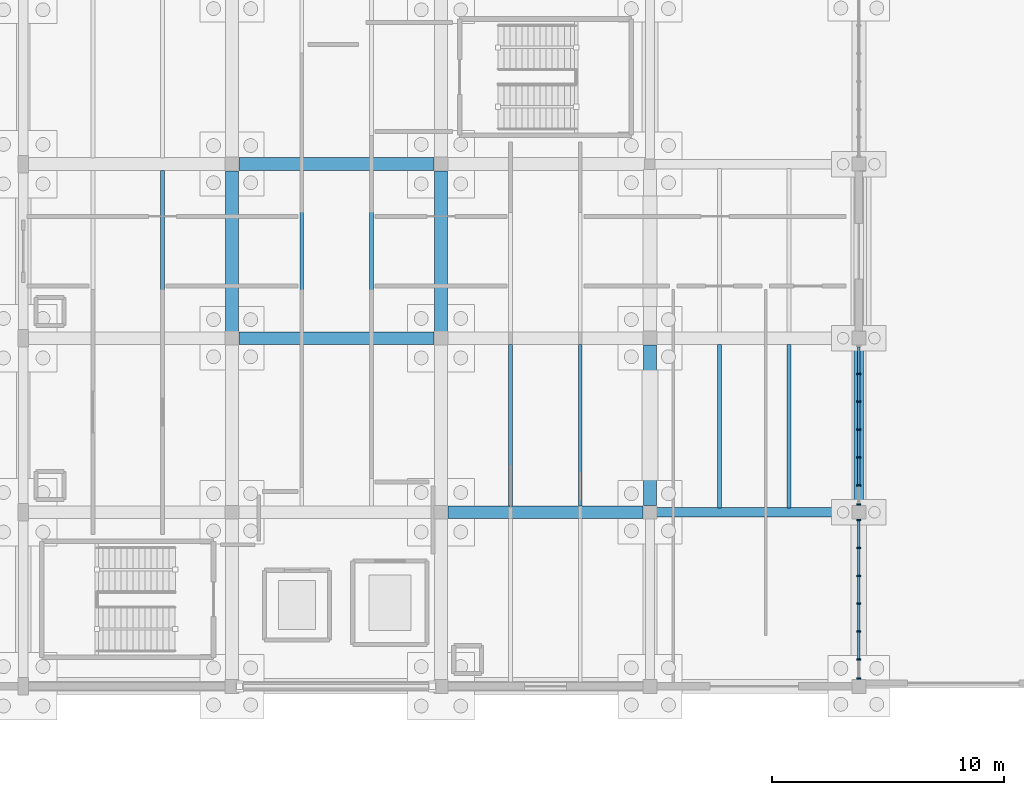
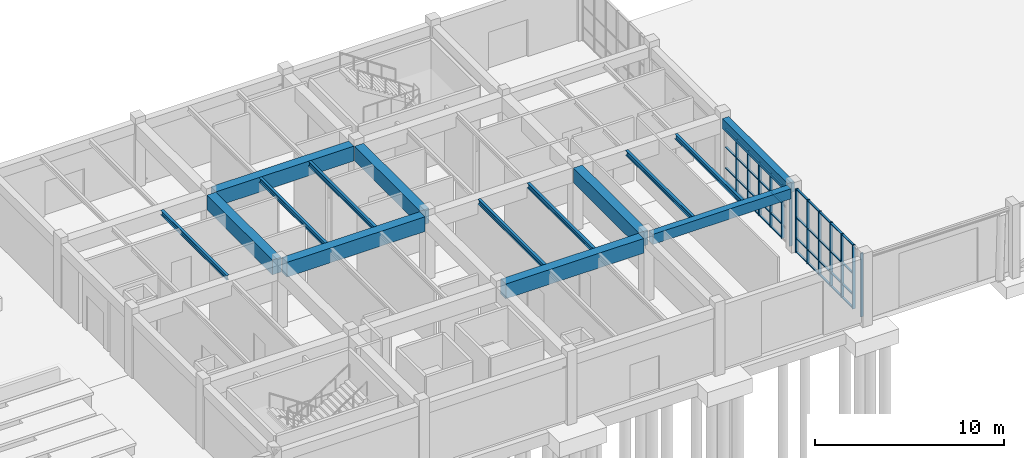
# One storey, part 23 of 93: 53 members, 15 beams, 2 elements without a shape of their own.
"""IFC4 building model written with IfcOpenShell, lengths in metres."""

from ifc_helpers import new_model, si_unit, direction, frame, origin, origin_2d, place, context, subcontext, project, spatial, rectangle, i_section, extrude, material, layer, layer_set, material_profile, profile_set, type_object, element, aggregate, save


model = new_model("IFC4")

# Units and contexts
model_context = context("Model", 3, precision=1e-05, world=origin(), true_north=direction((0.0, 1.0)))
body_context = subcontext(model_context, "Body", "Model", "MODEL_VIEW")
ifc_project = project(units=[si_unit("LENGTHUNIT", "METRE"), si_unit("AREAUNIT", "SQUARE_METRE"), si_unit("VOLUMEUNIT", "CUBIC_METRE"), si_unit("PLANEANGLEUNIT", "RADIAN"), si_unit("MASSUNIT", "GRAM", prefix="KILO")], contexts=[model_context])

# Site, building, storey
site_placement = place(None, origin())
site = spatial("IfcSite", under=ifc_project, at=site_placement, CompositionType="ELEMENT")
building_placement = place(site_placement, origin())
building = spatial("IfcBuilding", under=site, at=building_placement, Name="Marnridge Secondary College", CompositionType="ELEMENT")
storey_placement = place(building_placement, origin())
storey = spatial("IfcBuildingStorey", under=building, at=storey_placement, Name="L00", CompositionType="ELEMENT", Elevation=0.0)

# Beams
ifc_material_1 = material(Name="Concrete C40/50 (AS 3600 N40, 40 MPa)", Category="concrete")
ifc_material_profile_1 = material_profile(ifc_material_1, rectangle(XDim=0.39990234375, YDim=0.64990234375, at=origin_2d()), Name="RC 400x650")
ifc_profile_set_1 = profile_set([ifc_material_profile_1], Name="Concrete C40/50 (AS 3600 N40, 40 MPa)")
beam_type_1 = type_object("IfcBeamType", Name="BM-RC4065-EXT", PredefinedType="SPANDREL", material=ifc_profile_set_1)
beam_1_placement = place(storey_placement, frame((117.2939453125, 7.5, 3.77490234375), z_axis=(1.0, 0.0, 0.0), x_axis=(0.0, 1.0, 0.0)))
element("IfcBeam", 1, at=beam_1_placement, inside=storey, type_object=beam_type_1, Name="Beam BS-L00-0195", PredefinedType="SPANDREL", context=body_context, shape_type="SweptSolid", body=[
    extrude(rectangle(XDim=0.39990234375, YDim=0.64990234375, at=origin_2d()), origin(), (0.0, 0.0, 1.0), 8.412109375),
])
beam_2_placement = place(storey_placement, frame((126.0, 7.7939453125, 3.77490234375), z_axis=(0.0, 1.0, 0.0), x_axis=(-1.0, 0.0, 0.0)))
element("IfcBeam", 2, at=beam_2_placement, inside=storey, type_object=beam_type_1, Name="Beam BS-L00-0197", PredefinedType="SPANDREL", context=body_context, shape_type="SweptSolid", body=[
    extrude(rectangle(XDim=0.39990234375, YDim=0.64990234375, at=origin_2d()), origin(), (0.0, 0.0, 1.0), 6.912109375),
])
ifc_material_2 = material(Name="Concrete C40/50 (AS 3600 N40, 40 MPa)", Category="concrete")
ifc_material_profile_2 = material_profile(ifc_material_2, rectangle(XDim=0.550048828125, YDim=0.949951171875, at=origin_2d()), Name="RC 550x950")
ifc_profile_set_2 = profile_set([ifc_material_profile_2], Name="Concrete C40/50 (AS 3600 N40, 40 MPa)")
beam_type_2 = type_object("IfcBeamType", Name="BM-RC5595-INT", PredefinedType="BEAM", material=ifc_profile_set_2)
beam_3_placement = place(storey_placement, frame((99.0, 15.2939453125, 3.625), z_axis=(0.0, 1.0, 0.0), x_axis=(-1.0, 0.0, 0.0)))
element("IfcBeam", 3, at=beam_3_placement, inside=storey, type_object=beam_type_2, Name="Beam B-L00-0173", PredefinedType="BEAM", context=body_context, shape_type="SweptSolid", body=[
    extrude(rectangle(XDim=0.550048828125, YDim=0.949951171875, at=origin_2d()), origin(), (0.0, 0.0, 1.0), 6.912109375),
])
for number, where, z_axis, x_axis, name in (
    (4, (99.2939453125, 15.0, 3.625), (1.0, 0.0, 0.0), (0.0, 1.0, 0.0), "Beam B-L00-0180"),
    (5, (99.2939453125, 22.5, 3.625), (1.0, 0.0, 0.0), (0.0, 1.0, 0.0), "Beam B-L00-0182"),
):
    element("IfcBeam", number, at=place(storey_placement, frame(where, z_axis=z_axis, x_axis=x_axis)), inside=storey, type_object=beam_type_2, Name=name, PredefinedType="BEAM", context=body_context, shape_type="SweptSolid", body=[
        extrude(rectangle(XDim=0.550048828125, YDim=0.949951171875, at=origin_2d()), origin(), (0.0, 0.0, 1.0), 8.412109375),
    ])
beam_4_placement = place(storey_placement, frame((108.0, 15.2939453125, 3.625), z_axis=(0.0, 1.0, 0.0), x_axis=(-1.0, 0.0, 0.0)))
element("IfcBeam", 6, at=beam_4_placement, inside=storey, type_object=beam_type_2, Name="Beam B-L00-0183", PredefinedType="BEAM", context=body_context, shape_type="SweptSolid", body=[
    extrude(rectangle(XDim=0.550048828125, YDim=0.949951171875, at=origin_2d()), origin(), (0.0, 0.0, 1.0), 6.912109375),
])
beam_5_placement = place(storey_placement, frame((108.2939453125, 7.5, 3.625), z_axis=(1.0, 0.0, 0.0), x_axis=(0.0, 1.0, 0.0)))
element("IfcBeam", 7, at=beam_5_placement, inside=storey, type_object=beam_type_2, Name="Beam B-L00-0187", PredefinedType="BEAM", context=body_context, shape_type="SweptSolid", body=[
    extrude(rectangle(XDim=0.550048828125, YDim=0.949951171875, at=origin_2d()), origin(), (0.0, 0.0, 1.0), 8.412109375),
])
beam_6_placement = place(storey_placement, frame((117.0, 7.7939453125, 3.625), z_axis=(0.0, 1.0, 0.0), x_axis=(-1.0, 0.0, 0.0)))
element("IfcBeam", 8, at=beam_6_placement, inside=storey, type_object=beam_type_2, Name="Beam B-L00-0190", PredefinedType="BEAM", context=body_context, shape_type="SweptSolid", body=[
    extrude(rectangle(XDim=0.550048828125, YDim=0.949951171875, at=origin_2d()), origin(), (0.0, 0.0, 1.0), 6.912109375),
])
ifc_material_3 = material(Name="Structural steel Grade 350 (AS/NZS 3679.1/.2, fy = 340-360 MPa)", Category="steel")
ifc_material_profile_3 = material_profile(ifc_material_3, i_section(OverallWidth=0.1650390625, OverallDepth=0.303955078125, WebThickness=0.006103515625, FlangeThickness=0.01025390625, FilletRadius=0.011474609375, at=origin_2d()), Name="310UB40.4")
ifc_profile_set_3 = profile_set([ifc_material_profile_3], Name="Structural steel Grade 350 (AS/NZS 3679.1/.2, fy = 340-360 MPa)")
beam_type_3 = type_object("IfcBeamType", Name="BM-UB310-INT", PredefinedType="BEAM", material=ifc_profile_set_3)
for number, where, z_axis, x_axis, name in (
    (9, (96.0, 15.26904296875, 3.947998046875), (0.0, 1.0, 0.0), (-1.0, 0.0, 0.0), "Beam BJ-L00-0203"),
    (10, (102.0, 15.26904296875, 3.947998046875), (0.0, 1.0, 0.0), (-1.0, 0.0, 0.0), "Beam BJ-L00-0208"),
    (11, (105.0, 15.26904296875, 3.947998046875), (0.0, 1.0, 0.0), (-1.0, 0.0, 0.0), "Beam BJ-L00-0209"),
    (12, (111.0, 7.76904296875, 3.947998046875), (0.0, 1.0, 0.0), (-1.0, 0.0, 0.0), "Beam BJ-L00-0214"),
    (13, (114.0, 7.76904296875, 3.947998046875), (0.0, 1.0, 0.0), (-1.0, 0.0, 0.0), "Beam BJ-L00-0215"),
):
    element("IfcBeam", number, at=place(storey_placement, frame(where, z_axis=z_axis, x_axis=x_axis)), inside=storey, type_object=beam_type_3, Name=name, PredefinedType="BEAM", context=body_context, shape_type="SweptSolid", body=[
        extrude(i_section(OverallWidth=0.1650390625, OverallDepth=0.303955078125, WebThickness=0.006103515625, FlangeThickness=0.01025390625, FilletRadius=0.011474609375, at=origin_2d()), origin(), (0.0, 0.0, 1.0), 6.9619140625),
    ])
for number, where, z_axis, x_axis, name in (
    (14, (120.0, 7.694091796875, 3.947998046875), (0.0, 1.0, 0.0), (-1.0, 0.0, 0.0), "Beam BJ-L00-0218"),
    (15, (123.0, 7.694091796875, 3.947998046875), (0.0, 1.0, 0.0), (-1.0, 0.0, 0.0), "Beam BJ-L00-0219"),
):
    element("IfcBeam", number, at=place(storey_placement, frame(where, z_axis=z_axis, x_axis=x_axis)), inside=storey, type_object=beam_type_3, Name=name, PredefinedType="BEAM", context=body_context, shape_type="SweptSolid", body=[
        extrude(i_section(OverallWidth=0.1650390625, OverallDepth=0.303955078125, WebThickness=0.006103515625, FlangeThickness=0.01025390625, FilletRadius=0.011474609375, at=origin_2d()), origin(), (0.0, 0.0, 1.0), 7.036865234375),
    ])

# Curtain wall, members
ifc_material_4 = material(Name="Thermally broken aluminium and low-E glazing", Category="aluminium")
ifc_layer = layer(ifc_material_4, 0.179931640625)
ifc_layer_set = layer_set([ifc_layer], Name="CW-MOD-1200")
curtain_wall_type = type_object("IfcCurtainWallType", Name="CW-MOD-1200", PredefinedType="NOTDEFINED", material=ifc_layer_set)
curtain_wall_1_placement = place(storey_placement, origin())
curtain_wall_1 = element("IfcCurtainWall", 16, at=curtain_wall_1_placement, inside=storey, type_object=curtain_wall_type, Name="Unitised curtain wall CW-L00-010", PredefinedType="NOTDEFINED")
ifc_material_5 = material(Name="Anodised aluminium 6063-T6", Category="aluminium")
ifc_material_profile_4 = material_profile(ifc_material_5, rectangle(XDim=0.06494140625, YDim=0.179931640625, at=origin_2d()), Name="ALU 65x180")
ifc_profile_set_4 = profile_set([ifc_material_profile_4], Name="Anodised aluminium 6063-T6")
member_type_1 = type_object("IfcMemberType", Name="CWM-ALU180", PredefinedType="MULLION", material=ifc_profile_set_4)
member_1_placement = place(storey_placement, frame((126.0, 13.46337890625, 0.0), z_axis=(0.0, 0.0, 1.0), x_axis=(0.0, -1.0, 0.0)))
member_1 = element("IfcMember", 17, at=member_1_placement, type_object=member_type_1, Name="CW-L00-010 mullion 2", PredefinedType="MULLION", context=body_context, shape_type="SweptSolid", body=[
    extrude(rectangle(XDim=0.06494140625, YDim=0.179931640625, at=origin_2d()), origin(), (0.0, 0.0, 1.0), 3.44189453125),
])
member_2_placement = place(storey_placement, frame((126.0, 12.263427734375, 0.0), z_axis=(0.0, 0.0, 1.0), x_axis=(0.0, -1.0, 0.0)))
member_2 = element("IfcMember", 18, at=member_2_placement, type_object=member_type_1, Name="CW-L00-010 mullion 3", PredefinedType="MULLION", context=body_context, shape_type="SweptSolid", body=[
    extrude(rectangle(XDim=0.06494140625, YDim=0.179931640625, at=origin_2d()), origin(), (0.0, 0.0, 1.0), 3.44189453125),
])
member_3_placement = place(storey_placement, frame((126.0, 11.0634765625, 0.0), z_axis=(0.0, 0.0, 1.0), x_axis=(0.0, -1.0, 0.0)))
member_3 = element("IfcMember", 19, at=member_3_placement, type_object=member_type_1, Name="CW-L00-010 mullion 4", PredefinedType="MULLION", context=body_context, shape_type="SweptSolid", body=[
    extrude(rectangle(XDim=0.06494140625, YDim=0.179931640625, at=origin_2d()), origin(), (0.0, 0.0, 1.0), 3.44189453125),
])
member_4_placement = place(storey_placement, frame((126.0, 9.863525390625, 0.0), z_axis=(0.0, 0.0, 1.0), x_axis=(0.0, -1.0, 0.0)))
member_4 = element("IfcMember", 20, at=member_4_placement, type_object=member_type_1, Name="CW-L00-010 mullion 5", PredefinedType="MULLION", context=body_context, shape_type="SweptSolid", body=[
    extrude(rectangle(XDim=0.06494140625, YDim=0.179931640625, at=origin_2d()), origin(), (0.0, 0.0, 1.0), 3.44189453125),
])
member_5_placement = place(storey_placement, frame((126.0, 8.66357421875, 0.0), z_axis=(0.0, 0.0, 1.0), x_axis=(0.0, -1.0, 0.0)))
member_5 = element("IfcMember", 21, at=member_5_placement, type_object=member_type_1, Name="CW-L00-010 mullion 6", PredefinedType="MULLION", context=body_context, shape_type="SweptSolid", body=[
    extrude(rectangle(XDim=0.06494140625, YDim=0.179931640625, at=origin_2d()), origin(), (0.0, 0.0, 1.0), 3.44189453125),
])
member_6_placement = place(storey_placement, frame((126.0, 7.83642578125, 0.0), z_axis=(0.0, 0.0, 1.0), x_axis=(0.0, -1.0, 0.0)))
member_6 = element("IfcMember", 22, at=member_6_placement, type_object=member_type_1, Name="CW-L00-010 mullion 7", PredefinedType="MULLION", context=body_context, shape_type="SweptSolid", body=[
    extrude(rectangle(XDim=0.06494140625, YDim=0.179931640625, at=origin_2d()), origin(), (0.0, 0.0, 1.0), 3.44189453125),
])

curtain_wall_2_placement = place(storey_placement, origin())
curtain_wall_2 = element("IfcCurtainWall", 23, at=curtain_wall_2_placement, inside=storey, type_object=curtain_wall_type, Name="Unitised curtain wall CW-L00-011", PredefinedType="NOTDEFINED")
member_7_placement = place(storey_placement, frame((126.0, 7.16357421875, 0.0), z_axis=(0.0, 0.0, 1.0), x_axis=(0.0, -1.0, 0.0)))
member_7 = element("IfcMember", 24, at=member_7_placement, type_object=member_type_1, Name="CW-L00-011 mullion 1", PredefinedType="MULLION", context=body_context, shape_type="SweptSolid", body=[
    extrude(rectangle(XDim=0.06494140625, YDim=0.179931640625, at=origin_2d()), origin(), (0.0, 0.0, 1.0), 4.10009765625),
])
member_8_placement = place(storey_placement, frame((126.0, 5.96337890625, 0.0), z_axis=(0.0, 0.0, 1.0), x_axis=(0.0, -1.0, 0.0)))
member_8 = element("IfcMember", 25, at=member_8_placement, type_object=member_type_1, Name="CW-L00-011 mullion 2", PredefinedType="MULLION", context=body_context, shape_type="SweptSolid", body=[
    extrude(rectangle(XDim=0.06494140625, YDim=0.179931640625, at=origin_2d()), origin(), (0.0, 0.0, 1.0), 4.10009765625),
])
member_9_placement = place(storey_placement, frame((126.0, 4.763427734375, 0.0), z_axis=(0.0, 0.0, 1.0), x_axis=(0.0, -1.0, 0.0)))
member_9 = element("IfcMember", 26, at=member_9_placement, type_object=member_type_1, Name="CW-L00-011 mullion 3", PredefinedType="MULLION", context=body_context, shape_type="SweptSolid", body=[
    extrude(rectangle(XDim=0.06494140625, YDim=0.179931640625, at=origin_2d()), origin(), (0.0, 0.0, 1.0), 4.10009765625),
])
member_10_placement = place(storey_placement, frame((126.0, 3.5634765625, 0.0), z_axis=(0.0, 0.0, 1.0), x_axis=(0.0, -1.0, 0.0)))
member_10 = element("IfcMember", 27, at=member_10_placement, type_object=member_type_1, Name="CW-L00-011 mullion 4", PredefinedType="MULLION", context=body_context, shape_type="SweptSolid", body=[
    extrude(rectangle(XDim=0.06494140625, YDim=0.179931640625, at=origin_2d()), origin(), (0.0, 0.0, 1.0), 4.10009765625),
])
member_11_placement = place(storey_placement, frame((126.0, 2.363525390625, 0.0), z_axis=(0.0, 0.0, 1.0), x_axis=(0.0, -1.0, 0.0)))
member_11 = element("IfcMember", 28, at=member_11_placement, type_object=member_type_1, Name="CW-L00-011 mullion 5", PredefinedType="MULLION", context=body_context, shape_type="SweptSolid", body=[
    extrude(rectangle(XDim=0.06494140625, YDim=0.179931640625, at=origin_2d()), origin(), (0.0, 0.0, 1.0), 4.10009765625),
])
member_12_placement = place(storey_placement, frame((126.0, 1.16357421875, 0.0), z_axis=(0.0, 0.0, 1.0), x_axis=(0.0, -1.0, 0.0)))
member_12 = element("IfcMember", 29, at=member_12_placement, type_object=member_type_1, Name="CW-L00-011 mullion 6", PredefinedType="MULLION", context=body_context, shape_type="SweptSolid", body=[
    extrude(rectangle(XDim=0.06494140625, YDim=0.179931640625, at=origin_2d()), origin(), (0.0, 0.0, 1.0), 4.10009765625),
])
member_13_placement = place(storey_placement, frame((126.0, 0.33642578125, 0.0), z_axis=(0.0, 0.0, 1.0), x_axis=(0.0, -1.0, 0.0)))
member_13 = element("IfcMember", 30, at=member_13_placement, type_object=member_type_1, Name="CW-L00-011 mullion 7", PredefinedType="MULLION", context=body_context, shape_type="SweptSolid", body=[
    extrude(rectangle(XDim=0.06494140625, YDim=0.179931640625, at=origin_2d()), origin(), (0.0, 0.0, 1.0), 4.10009765625),
])

# Member
ifc_material_6 = material(Name="Anodised aluminium 6063-T6", Category="aluminium")
ifc_material_profile_5 = material_profile(ifc_material_6, rectangle(XDim=0.06005859375, YDim=0.1201171875, at=origin_2d()), Name="ALU 60x120")
ifc_profile_set_5 = profile_set([ifc_material_profile_5], Name="Anodised aluminium 6063-T6")
member_type_2 = type_object("IfcMemberType", Name="CWT-ALU120", PredefinedType="USERDEFINED", material=ifc_profile_set_5)
member_14_placement = place(storey_placement, frame((126.0, 14.631103515625, 0.030029296875), z_axis=(0.0, -1.0, 0.0), x_axis=(0.0, 0.0, 1.0)))
member_14 = element("IfcMember", 31, at=member_14_placement, type_object=member_type_2, Name="CW-L00-010 transom 1.1", ObjectType="TRANSOM", PredefinedType="USERDEFINED", context=body_context, shape_type="SweptSolid", body=[
    extrude(rectangle(XDim=0.06005859375, YDim=0.1201171875, at=origin_2d()), origin(), (0.0, 0.0, 1.0), 1.135009765625),
])

member_15_placement = place(storey_placement, frame((126.0, 14.631103515625, 0.89990234375), z_axis=(0.0, -1.0, 0.0), x_axis=(0.0, 0.0, 1.0)))
member_15 = element("IfcMember", 32, at=member_15_placement, type_object=member_type_2, Name="CW-L00-010 transom 1.2", ObjectType="TRANSOM", PredefinedType="USERDEFINED", context=body_context, shape_type="SweptSolid", body=[
    extrude(rectangle(XDim=0.06005859375, YDim=0.1201171875, at=origin_2d()), origin(), (0.0, 0.0, 1.0), 1.135009765625),
])

member_16_placement = place(storey_placement, frame((126.0, 14.631103515625, 2.25), z_axis=(0.0, -1.0, 0.0), x_axis=(0.0, 0.0, 1.0)))
member_16 = element("IfcMember", 33, at=member_16_placement, type_object=member_type_2, Name="CW-L00-010 transom 1.3", ObjectType="TRANSOM", PredefinedType="USERDEFINED", context=body_context, shape_type="SweptSolid", body=[
    extrude(rectangle(XDim=0.06005859375, YDim=0.1201171875, at=origin_2d()), origin(), (0.0, 0.0, 1.0), 1.135009765625),
])

member_17_placement = place(storey_placement, frame((126.0, 14.631103515625, 3.412109375), z_axis=(0.0, -1.0, 0.0), x_axis=(0.0, 0.0, 1.0)))
member_17 = element("IfcMember", 34, at=member_17_placement, type_object=member_type_2, Name="CW-L00-010 transom 1.4", ObjectType="TRANSOM", PredefinedType="USERDEFINED", context=body_context, shape_type="SweptSolid", body=[
    extrude(rectangle(XDim=0.06005859375, YDim=0.1201171875, at=origin_2d()), origin(), (0.0, 0.0, 1.0), 1.135009765625),
])

member_18_placement = place(storey_placement, frame((126.0, 13.430908203125, 0.030029296875), z_axis=(0.0, -1.0, 0.0), x_axis=(0.0, 0.0, 1.0)))
member_18 = element("IfcMember", 35, at=member_18_placement, type_object=member_type_2, Name="CW-L00-010 transom 2.1", ObjectType="TRANSOM", PredefinedType="USERDEFINED", context=body_context, shape_type="SweptSolid", body=[
    extrude(rectangle(XDim=0.06005859375, YDim=0.1201171875, at=origin_2d()), origin(), (0.0, 0.0, 1.0), 1.135009765625),
])

member_19_placement = place(storey_placement, frame((126.0, 13.430908203125, 0.89990234375), z_axis=(0.0, -1.0, 0.0), x_axis=(0.0, 0.0, 1.0)))
member_19 = element("IfcMember", 36, at=member_19_placement, type_object=member_type_2, Name="CW-L00-010 transom 2.2", ObjectType="TRANSOM", PredefinedType="USERDEFINED", context=body_context, shape_type="SweptSolid", body=[
    extrude(rectangle(XDim=0.06005859375, YDim=0.1201171875, at=origin_2d()), origin(), (0.0, 0.0, 1.0), 1.135009765625),
])

member_20_placement = place(storey_placement, frame((126.0, 13.430908203125, 2.25), z_axis=(0.0, -1.0, 0.0), x_axis=(0.0, 0.0, 1.0)))
member_20 = element("IfcMember", 37, at=member_20_placement, type_object=member_type_2, Name="CW-L00-010 transom 2.3", ObjectType="TRANSOM", PredefinedType="USERDEFINED", context=body_context, shape_type="SweptSolid", body=[
    extrude(rectangle(XDim=0.06005859375, YDim=0.1201171875, at=origin_2d()), origin(), (0.0, 0.0, 1.0), 1.135009765625),
])

member_21_placement = place(storey_placement, frame((126.0, 13.430908203125, 3.412109375), z_axis=(0.0, -1.0, 0.0), x_axis=(0.0, 0.0, 1.0)))
member_21 = element("IfcMember", 38, at=member_21_placement, type_object=member_type_2, Name="CW-L00-010 transom 2.4", ObjectType="TRANSOM", PredefinedType="USERDEFINED", context=body_context, shape_type="SweptSolid", body=[
    extrude(rectangle(XDim=0.06005859375, YDim=0.1201171875, at=origin_2d()), origin(), (0.0, 0.0, 1.0), 1.135009765625),
])

member_22_placement = place(storey_placement, frame((126.0, 12.23095703125, 0.030029296875), z_axis=(0.0, -1.0, 0.0), x_axis=(0.0, 0.0, 1.0)))
member_22 = element("IfcMember", 39, at=member_22_placement, type_object=member_type_2, Name="CW-L00-010 transom 3.1", ObjectType="TRANSOM", PredefinedType="USERDEFINED", context=body_context, shape_type="SweptSolid", body=[
    extrude(rectangle(XDim=0.06005859375, YDim=0.1201171875, at=origin_2d()), origin(), (0.0, 0.0, 1.0), 1.135009765625),
])

member_23_placement = place(storey_placement, frame((126.0, 12.23095703125, 0.89990234375), z_axis=(0.0, -1.0, 0.0), x_axis=(0.0, 0.0, 1.0)))
member_23 = element("IfcMember", 40, at=member_23_placement, type_object=member_type_2, Name="CW-L00-010 transom 3.2", ObjectType="TRANSOM", PredefinedType="USERDEFINED", context=body_context, shape_type="SweptSolid", body=[
    extrude(rectangle(XDim=0.06005859375, YDim=0.1201171875, at=origin_2d()), origin(), (0.0, 0.0, 1.0), 1.135009765625),
])

member_24_placement = place(storey_placement, frame((126.0, 12.23095703125, 2.25), z_axis=(0.0, -1.0, 0.0), x_axis=(0.0, 0.0, 1.0)))
member_24 = element("IfcMember", 41, at=member_24_placement, type_object=member_type_2, Name="CW-L00-010 transom 3.3", ObjectType="TRANSOM", PredefinedType="USERDEFINED", context=body_context, shape_type="SweptSolid", body=[
    extrude(rectangle(XDim=0.06005859375, YDim=0.1201171875, at=origin_2d()), origin(), (0.0, 0.0, 1.0), 1.135009765625),
])

member_25_placement = place(storey_placement, frame((126.0, 12.23095703125, 3.412109375), z_axis=(0.0, -1.0, 0.0), x_axis=(0.0, 0.0, 1.0)))
member_25 = element("IfcMember", 42, at=member_25_placement, type_object=member_type_2, Name="CW-L00-010 transom 3.4", ObjectType="TRANSOM", PredefinedType="USERDEFINED", context=body_context, shape_type="SweptSolid", body=[
    extrude(rectangle(XDim=0.06005859375, YDim=0.1201171875, at=origin_2d()), origin(), (0.0, 0.0, 1.0), 1.135009765625),
])

member_26_placement = place(storey_placement, frame((126.0, 11.031005859375, 0.030029296875), z_axis=(0.0, -1.0, 0.0), x_axis=(0.0, 0.0, 1.0)))
member_26 = element("IfcMember", 43, at=member_26_placement, type_object=member_type_2, Name="CW-L00-010 transom 4.1", ObjectType="TRANSOM", PredefinedType="USERDEFINED", context=body_context, shape_type="SweptSolid", body=[
    extrude(rectangle(XDim=0.06005859375, YDim=0.1201171875, at=origin_2d()), origin(), (0.0, 0.0, 1.0), 1.135009765625),
])

member_27_placement = place(storey_placement, frame((126.0, 11.031005859375, 0.89990234375), z_axis=(0.0, -1.0, 0.0), x_axis=(0.0, 0.0, 1.0)))
member_27 = element("IfcMember", 44, at=member_27_placement, type_object=member_type_2, Name="CW-L00-010 transom 4.2", ObjectType="TRANSOM", PredefinedType="USERDEFINED", context=body_context, shape_type="SweptSolid", body=[
    extrude(rectangle(XDim=0.06005859375, YDim=0.1201171875, at=origin_2d()), origin(), (0.0, 0.0, 1.0), 1.135009765625),
])

member_28_placement = place(storey_placement, frame((126.0, 11.031005859375, 2.25), z_axis=(0.0, -1.0, 0.0), x_axis=(0.0, 0.0, 1.0)))
member_28 = element("IfcMember", 45, at=member_28_placement, type_object=member_type_2, Name="CW-L00-010 transom 4.3", ObjectType="TRANSOM", PredefinedType="USERDEFINED", context=body_context, shape_type="SweptSolid", body=[
    extrude(rectangle(XDim=0.06005859375, YDim=0.1201171875, at=origin_2d()), origin(), (0.0, 0.0, 1.0), 1.135009765625),
])

member_29_placement = place(storey_placement, frame((126.0, 11.031005859375, 3.412109375), z_axis=(0.0, -1.0, 0.0), x_axis=(0.0, 0.0, 1.0)))
member_29 = element("IfcMember", 46, at=member_29_placement, type_object=member_type_2, Name="CW-L00-010 transom 4.4", ObjectType="TRANSOM", PredefinedType="USERDEFINED", context=body_context, shape_type="SweptSolid", body=[
    extrude(rectangle(XDim=0.06005859375, YDim=0.1201171875, at=origin_2d()), origin(), (0.0, 0.0, 1.0), 1.135009765625),
])

member_30_placement = place(storey_placement, frame((126.0, 9.8310546875, 0.030029296875), z_axis=(0.0, -1.0, 0.0), x_axis=(0.0, 0.0, 1.0)))
member_30 = element("IfcMember", 47, at=member_30_placement, type_object=member_type_2, Name="CW-L00-010 transom 5.1", ObjectType="TRANSOM", PredefinedType="USERDEFINED", context=body_context, shape_type="SweptSolid", body=[
    extrude(rectangle(XDim=0.06005859375, YDim=0.1201171875, at=origin_2d()), origin(), (0.0, 0.0, 1.0), 1.135009765625),
])

member_31_placement = place(storey_placement, frame((126.0, 9.8310546875, 0.89990234375), z_axis=(0.0, -1.0, 0.0), x_axis=(0.0, 0.0, 1.0)))
member_31 = element("IfcMember", 48, at=member_31_placement, type_object=member_type_2, Name="CW-L00-010 transom 5.2", ObjectType="TRANSOM", PredefinedType="USERDEFINED", context=body_context, shape_type="SweptSolid", body=[
    extrude(rectangle(XDim=0.06005859375, YDim=0.1201171875, at=origin_2d()), origin(), (0.0, 0.0, 1.0), 1.135009765625),
])

member_32_placement = place(storey_placement, frame((126.0, 9.8310546875, 2.25), z_axis=(0.0, -1.0, 0.0), x_axis=(0.0, 0.0, 1.0)))
member_32 = element("IfcMember", 49, at=member_32_placement, type_object=member_type_2, Name="CW-L00-010 transom 5.3", ObjectType="TRANSOM", PredefinedType="USERDEFINED", context=body_context, shape_type="SweptSolid", body=[
    extrude(rectangle(XDim=0.06005859375, YDim=0.1201171875, at=origin_2d()), origin(), (0.0, 0.0, 1.0), 1.135009765625),
])

member_33_placement = place(storey_placement, frame((126.0, 9.8310546875, 3.412109375), z_axis=(0.0, -1.0, 0.0), x_axis=(0.0, 0.0, 1.0)))
member_33 = element("IfcMember", 50, at=member_33_placement, type_object=member_type_2, Name="CW-L00-010 transom 5.4", ObjectType="TRANSOM", PredefinedType="USERDEFINED", context=body_context, shape_type="SweptSolid", body=[
    extrude(rectangle(XDim=0.06005859375, YDim=0.1201171875, at=origin_2d()), origin(), (0.0, 0.0, 1.0), 1.135009765625),
])

aggregate(curtain_wall_1, [member_1, member_2, member_3, member_4, member_5, member_6, member_14, member_15, member_16, member_17, member_18, member_19, member_20, member_21, member_22, member_23, member_24, member_25, member_26, member_27, member_28, member_29, member_30, member_31, member_32, member_33])

member_34_placement = place(storey_placement, frame((126.0, 7.131103515625, 0.030029296875), z_axis=(0.0, -1.0, 0.0), x_axis=(0.0, 0.0, 1.0)))
member_34 = element("IfcMember", 51, at=member_34_placement, type_object=member_type_2, Name="CW-L00-011 transom 1.1", ObjectType="TRANSOM", PredefinedType="USERDEFINED", context=body_context, shape_type="SweptSolid", body=[
    extrude(rectangle(XDim=0.06005859375, YDim=0.1201171875, at=origin_2d()), origin(), (0.0, 0.0, 1.0), 1.135009765625),
])

member_35_placement = place(storey_placement, frame((126.0, 7.131103515625, 0.89990234375), z_axis=(0.0, -1.0, 0.0), x_axis=(0.0, 0.0, 1.0)))
member_35 = element("IfcMember", 52, at=member_35_placement, type_object=member_type_2, Name="CW-L00-011 transom 1.2", ObjectType="TRANSOM", PredefinedType="USERDEFINED", context=body_context, shape_type="SweptSolid", body=[
    extrude(rectangle(XDim=0.06005859375, YDim=0.1201171875, at=origin_2d()), origin(), (0.0, 0.0, 1.0), 1.135009765625),
])

member_36_placement = place(storey_placement, frame((126.0, 7.131103515625, 2.25), z_axis=(0.0, -1.0, 0.0), x_axis=(0.0, 0.0, 1.0)))
member_36 = element("IfcMember", 53, at=member_36_placement, type_object=member_type_2, Name="CW-L00-011 transom 1.3", ObjectType="TRANSOM", PredefinedType="USERDEFINED", context=body_context, shape_type="SweptSolid", body=[
    extrude(rectangle(XDim=0.06005859375, YDim=0.1201171875, at=origin_2d()), origin(), (0.0, 0.0, 1.0), 1.135009765625),
])

member_37_placement = place(storey_placement, frame((126.0, 7.131103515625, 4.070068359375), z_axis=(0.0, -1.0, 0.0), x_axis=(0.0, 0.0, 1.0)))
member_37 = element("IfcMember", 54, at=member_37_placement, type_object=member_type_2, Name="CW-L00-011 transom 1.4", ObjectType="TRANSOM", PredefinedType="USERDEFINED", context=body_context, shape_type="SweptSolid", body=[
    extrude(rectangle(XDim=0.06005859375, YDim=0.1201171875, at=origin_2d()), origin(), (0.0, 0.0, 1.0), 1.135009765625),
])

member_38_placement = place(storey_placement, frame((126.0, 5.930908203125, 0.030029296875), z_axis=(0.0, -1.0, 0.0), x_axis=(0.0, 0.0, 1.0)))
member_38 = element("IfcMember", 55, at=member_38_placement, type_object=member_type_2, Name="CW-L00-011 transom 2.1", ObjectType="TRANSOM", PredefinedType="USERDEFINED", context=body_context, shape_type="SweptSolid", body=[
    extrude(rectangle(XDim=0.06005859375, YDim=0.1201171875, at=origin_2d()), origin(), (0.0, 0.0, 1.0), 1.135009765625),
])

member_39_placement = place(storey_placement, frame((126.0, 5.930908203125, 0.89990234375), z_axis=(0.0, -1.0, 0.0), x_axis=(0.0, 0.0, 1.0)))
member_39 = element("IfcMember", 56, at=member_39_placement, type_object=member_type_2, Name="CW-L00-011 transom 2.2", ObjectType="TRANSOM", PredefinedType="USERDEFINED", context=body_context, shape_type="SweptSolid", body=[
    extrude(rectangle(XDim=0.06005859375, YDim=0.1201171875, at=origin_2d()), origin(), (0.0, 0.0, 1.0), 1.135009765625),
])

member_40_placement = place(storey_placement, frame((126.0, 5.930908203125, 2.25), z_axis=(0.0, -1.0, 0.0), x_axis=(0.0, 0.0, 1.0)))
member_40 = element("IfcMember", 57, at=member_40_placement, type_object=member_type_2, Name="CW-L00-011 transom 2.3", ObjectType="TRANSOM", PredefinedType="USERDEFINED", context=body_context, shape_type="SweptSolid", body=[
    extrude(rectangle(XDim=0.06005859375, YDim=0.1201171875, at=origin_2d()), origin(), (0.0, 0.0, 1.0), 1.135009765625),
])

member_41_placement = place(storey_placement, frame((126.0, 5.930908203125, 4.070068359375), z_axis=(0.0, -1.0, 0.0), x_axis=(0.0, 0.0, 1.0)))
member_41 = element("IfcMember", 58, at=member_41_placement, type_object=member_type_2, Name="CW-L00-011 transom 2.4", ObjectType="TRANSOM", PredefinedType="USERDEFINED", context=body_context, shape_type="SweptSolid", body=[
    extrude(rectangle(XDim=0.06005859375, YDim=0.1201171875, at=origin_2d()), origin(), (0.0, 0.0, 1.0), 1.135009765625),
])

member_42_placement = place(storey_placement, frame((126.0, 4.73095703125, 0.030029296875), z_axis=(0.0, -1.0, 0.0), x_axis=(0.0, 0.0, 1.0)))
member_42 = element("IfcMember", 59, at=member_42_placement, type_object=member_type_2, Name="CW-L00-011 transom 3.1", ObjectType="TRANSOM", PredefinedType="USERDEFINED", context=body_context, shape_type="SweptSolid", body=[
    extrude(rectangle(XDim=0.06005859375, YDim=0.1201171875, at=origin_2d()), origin(), (0.0, 0.0, 1.0), 1.135009765625),
])

member_43_placement = place(storey_placement, frame((126.0, 4.73095703125, 0.89990234375), z_axis=(0.0, -1.0, 0.0), x_axis=(0.0, 0.0, 1.0)))
member_43 = element("IfcMember", 60, at=member_43_placement, type_object=member_type_2, Name="CW-L00-011 transom 3.2", ObjectType="TRANSOM", PredefinedType="USERDEFINED", context=body_context, shape_type="SweptSolid", body=[
    extrude(rectangle(XDim=0.06005859375, YDim=0.1201171875, at=origin_2d()), origin(), (0.0, 0.0, 1.0), 1.135009765625),
])

member_44_placement = place(storey_placement, frame((126.0, 4.73095703125, 2.25), z_axis=(0.0, -1.0, 0.0), x_axis=(0.0, 0.0, 1.0)))
member_44 = element("IfcMember", 61, at=member_44_placement, type_object=member_type_2, Name="CW-L00-011 transom 3.3", ObjectType="TRANSOM", PredefinedType="USERDEFINED", context=body_context, shape_type="SweptSolid", body=[
    extrude(rectangle(XDim=0.06005859375, YDim=0.1201171875, at=origin_2d()), origin(), (0.0, 0.0, 1.0), 1.135009765625),
])

member_45_placement = place(storey_placement, frame((126.0, 4.73095703125, 4.070068359375), z_axis=(0.0, -1.0, 0.0), x_axis=(0.0, 0.0, 1.0)))
member_45 = element("IfcMember", 62, at=member_45_placement, type_object=member_type_2, Name="CW-L00-011 transom 3.4", ObjectType="TRANSOM", PredefinedType="USERDEFINED", context=body_context, shape_type="SweptSolid", body=[
    extrude(rectangle(XDim=0.06005859375, YDim=0.1201171875, at=origin_2d()), origin(), (0.0, 0.0, 1.0), 1.135009765625),
])

member_46_placement = place(storey_placement, frame((126.0, 3.531005859375, 0.030029296875), z_axis=(0.0, -1.0, 0.0), x_axis=(0.0, 0.0, 1.0)))
member_46 = element("IfcMember", 63, at=member_46_placement, type_object=member_type_2, Name="CW-L00-011 transom 4.1", ObjectType="TRANSOM", PredefinedType="USERDEFINED", context=body_context, shape_type="SweptSolid", body=[
    extrude(rectangle(XDim=0.06005859375, YDim=0.1201171875, at=origin_2d()), origin(), (0.0, 0.0, 1.0), 1.135009765625),
])

member_47_placement = place(storey_placement, frame((126.0, 3.531005859375, 0.89990234375), z_axis=(0.0, -1.0, 0.0), x_axis=(0.0, 0.0, 1.0)))
member_47 = element("IfcMember", 64, at=member_47_placement, type_object=member_type_2, Name="CW-L00-011 transom 4.2", ObjectType="TRANSOM", PredefinedType="USERDEFINED", context=body_context, shape_type="SweptSolid", body=[
    extrude(rectangle(XDim=0.06005859375, YDim=0.1201171875, at=origin_2d()), origin(), (0.0, 0.0, 1.0), 1.135009765625),
])

member_48_placement = place(storey_placement, frame((126.0, 3.531005859375, 2.25), z_axis=(0.0, -1.0, 0.0), x_axis=(0.0, 0.0, 1.0)))
member_48 = element("IfcMember", 65, at=member_48_placement, type_object=member_type_2, Name="CW-L00-011 transom 4.3", ObjectType="TRANSOM", PredefinedType="USERDEFINED", context=body_context, shape_type="SweptSolid", body=[
    extrude(rectangle(XDim=0.06005859375, YDim=0.1201171875, at=origin_2d()), origin(), (0.0, 0.0, 1.0), 1.135009765625),
])

member_49_placement = place(storey_placement, frame((126.0, 3.531005859375, 4.070068359375), z_axis=(0.0, -1.0, 0.0), x_axis=(0.0, 0.0, 1.0)))
member_49 = element("IfcMember", 66, at=member_49_placement, type_object=member_type_2, Name="CW-L00-011 transom 4.4", ObjectType="TRANSOM", PredefinedType="USERDEFINED", context=body_context, shape_type="SweptSolid", body=[
    extrude(rectangle(XDim=0.06005859375, YDim=0.1201171875, at=origin_2d()), origin(), (0.0, 0.0, 1.0), 1.135009765625),
])

member_50_placement = place(storey_placement, frame((126.0, 2.3310546875, 0.030029296875), z_axis=(0.0, -1.0, 0.0), x_axis=(0.0, 0.0, 1.0)))
member_50 = element("IfcMember", 67, at=member_50_placement, type_object=member_type_2, Name="CW-L00-011 transom 5.1", ObjectType="TRANSOM", PredefinedType="USERDEFINED", context=body_context, shape_type="SweptSolid", body=[
    extrude(rectangle(XDim=0.06005859375, YDim=0.1201171875, at=origin_2d()), origin(), (0.0, 0.0, 1.0), 1.135009765625),
])

member_51_placement = place(storey_placement, frame((126.0, 2.3310546875, 0.89990234375), z_axis=(0.0, -1.0, 0.0), x_axis=(0.0, 0.0, 1.0)))
member_51 = element("IfcMember", 68, at=member_51_placement, type_object=member_type_2, Name="CW-L00-011 transom 5.2", ObjectType="TRANSOM", PredefinedType="USERDEFINED", context=body_context, shape_type="SweptSolid", body=[
    extrude(rectangle(XDim=0.06005859375, YDim=0.1201171875, at=origin_2d()), origin(), (0.0, 0.0, 1.0), 1.135009765625),
])

member_52_placement = place(storey_placement, frame((126.0, 2.3310546875, 2.25), z_axis=(0.0, -1.0, 0.0), x_axis=(0.0, 0.0, 1.0)))
member_52 = element("IfcMember", 69, at=member_52_placement, type_object=member_type_2, Name="CW-L00-011 transom 5.3", ObjectType="TRANSOM", PredefinedType="USERDEFINED", context=body_context, shape_type="SweptSolid", body=[
    extrude(rectangle(XDim=0.06005859375, YDim=0.1201171875, at=origin_2d()), origin(), (0.0, 0.0, 1.0), 1.135009765625),
])

member_53_placement = place(storey_placement, frame((126.0, 2.3310546875, 4.070068359375), z_axis=(0.0, -1.0, 0.0), x_axis=(0.0, 0.0, 1.0)))
member_53 = element("IfcMember", 70, at=member_53_placement, type_object=member_type_2, Name="CW-L00-011 transom 5.4", ObjectType="TRANSOM", PredefinedType="USERDEFINED", context=body_context, shape_type="SweptSolid", body=[
    extrude(rectangle(XDim=0.06005859375, YDim=0.1201171875, at=origin_2d()), origin(), (0.0, 0.0, 1.0), 1.135009765625),
])

aggregate(curtain_wall_2, [member_7, member_8, member_9, member_10, member_11, member_12, member_13, member_34, member_35, member_36, member_37, member_38, member_39, member_40, member_41, member_42, member_43, member_44, member_45, member_46, member_47, member_48, member_49, member_50, member_51, member_52, member_53])

save(model, "model.ifc")
